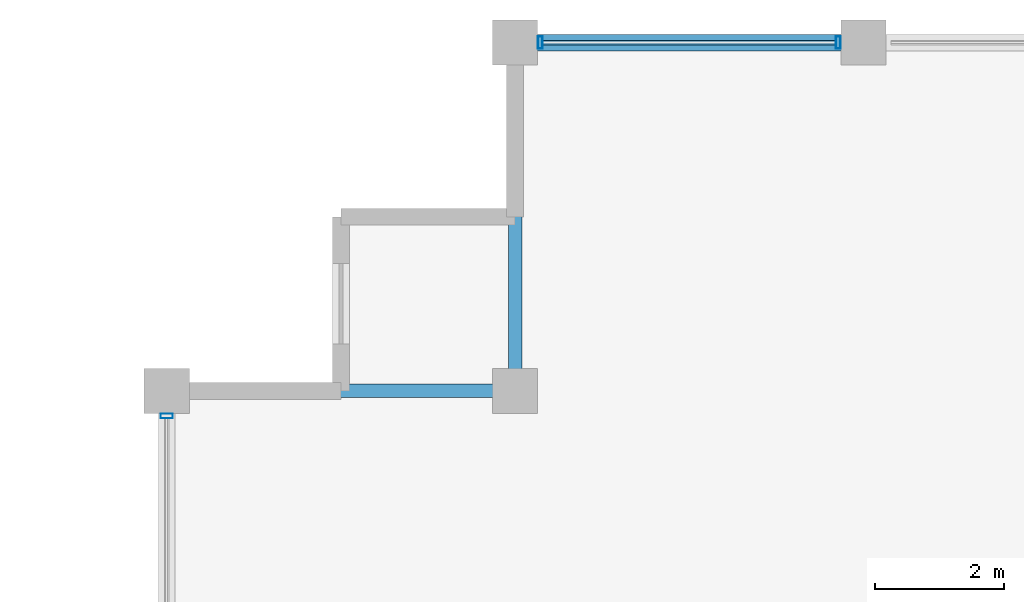
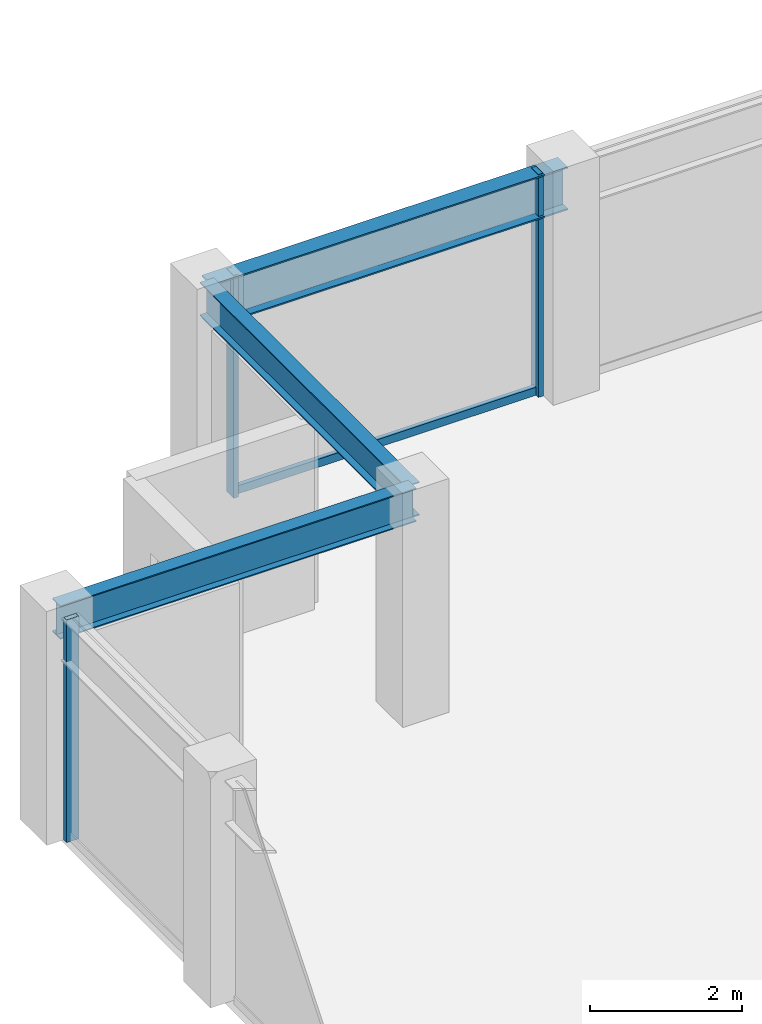
# One storey, part 15 of 31: 4 members, 3 beams, 2 elements without a shape of their own.
"""IFC4 building model written with IfcOpenShell, lengths in metres."""

import ifcopenshell
import ifcopenshell.guid

model = None  # the IFC model being written
_history = None  # IfcOwnerHistory: only IFC2X3 demands one
_inside = {}  # id of a spatial element -> (the spatial element, [elements in it])
_under = {}  # id of a project, library or spatial element -> (it, [spatial elements below it])
_declared = {}  # id of a project -> (the project, [libraries it declares])
_typed = {}  # id of a type object -> (the type object, [elements of that type])
_made_of = {}  # id of a material, layer set ... -> (it, [elements and type objects made of it])


def new_model(schema):
    """Start an empty IFC model of exactly this schema.

    Asked for "IFC4X3", IfcOpenShell would pick the latest addendum, in which some entities
    have other attributes; the version numbers below select the first issue.
    IFC2X3 requires an IfcOwnerHistory on every rooted entity: one is made here for all.
    """
    global model, _history
    if schema == "IFC4X3":
        model = ifcopenshell.file(schema_version=(4, 3, 0, 0))
    else:
        model = ifcopenshell.file(schema=schema)
    _inside.clear()
    _under.clear()
    _declared.clear()
    _typed.clear()
    _made_of.clear()
    _history = None
    if model.schema == "IFC2X3":
        org = make("IfcOrganization", Name="unknown")
        user = make(
            "IfcPersonAndOrganization",
            ThePerson=make("IfcPerson", FamilyName="unknown"),
            TheOrganization=org,
        )
        app = make(
            "IfcApplication",
            ApplicationDeveloper=org,
            Version="unknown",
            ApplicationFullName="unknown",
            ApplicationIdentifier="unknown",
        )
        _history = make(
            "IfcOwnerHistory",
            OwningUser=user,
            OwningApplication=app,
            ChangeAction="ADDED",
            CreationDate=0,
        )
    return model


def make(cls, **values):
    """One entity of the class cls with the attributes given. An attribute that is None is left unset."""
    return model.create_entity(
        cls, **{name: value for name, value in values.items() if value is not None}
    )


def rooted(cls, **values):
    """An entity with a GlobalId (a new one), such as an element, a storey or a relation."""
    return make(cls, GlobalId=ifcopenshell.guid.new(), OwnerHistory=_history, **values)


def si_unit(unit_type, name, prefix=None):
    """IfcSIUnit, for example si_unit("LENGTHUNIT", "METRE", prefix="MILLI")."""
    return make("IfcSIUnit", UnitType=unit_type, Prefix=prefix, Name=name)


def assignment(units):
    """IfcUnitAssignment: the units of a project."""
    return None if units is None else make("IfcUnitAssignment", Units=units)


def point(xyz):
    """IfcCartesianPoint."""
    return None if xyz is None else make("IfcCartesianPoint", Coordinates=xyz)


def direction(xyz):
    """IfcDirection."""
    return None if xyz is None else make("IfcDirection", DirectionRatios=xyz)


def frame(location, z_axis=None, x_axis=None):
    """IfcAxis2Placement3D, a coordinate frame: its origin and axes. An axis left out is left unset."""
    return make(
        "IfcAxis2Placement3D",
        Location=point(location),
        Axis=direction(z_axis),
        RefDirection=direction(x_axis),
    )


def frame_2d(location, x_axis=None):
    """IfcAxis2Placement2D, a coordinate frame in the plane: its origin and x axis."""
    return make(
        "IfcAxis2Placement2D", Location=point(location), RefDirection=direction(x_axis)
    )


def origin():
    """The frame at (0, 0, 0) with its axes left unset."""
    return frame((0.0, 0.0, 0.0))


def origin_2d():
    """The frame at (0, 0) in the plane with its x axis left unset."""
    return frame_2d((0.0, 0.0))


def place(relative_to, where):
    """IfcLocalPlacement: puts the frame where relative to a parent placement (None: the world)."""
    return make(
        "IfcLocalPlacement", PlacementRelTo=relative_to, RelativePlacement=where
    )


def context(
    kind, dimensions, precision=None, world=None, true_north=None, identifier=None
):
    """IfcGeometricRepresentationContext, for example the 3D "Model" context."""
    return make(
        "IfcGeometricRepresentationContext",
        ContextIdentifier=identifier,
        ContextType=kind,
        CoordinateSpaceDimension=dimensions,
        Precision=precision,
        WorldCoordinateSystem=world,
        TrueNorth=true_north,
    )


def subcontext(parent, identifier, kind, view, scale=None):
    """IfcGeometricRepresentationSubContext, for example "Body" below "Model"."""
    return make(
        "IfcGeometricRepresentationSubContext",
        ContextIdentifier=identifier,
        ContextType=kind,
        ParentContext=parent,
        TargetScale=scale,
        TargetView=view,
    )


def project(units=None, contexts=None):
    """IfcProject with its units and contexts."""
    return rooted(
        "IfcProject",
        Name="project",
        RepresentationContexts=contexts,
        UnitsInContext=assignment(units),
    )


def spatial(cls, under=None, at=None, **own):
    """A site, building, storey or space (cls), placed at a placement, below another one or the project."""
    s = rooted(cls, ObjectPlacement=at, **own)
    if under is not None:
        _under.setdefault(under.id(), (under, []))[1].append(s)
    return s


def profile(cls, at=None, kind="AREA", **sizes):
    """A parametric profile (cls). Its sizes go by their IFC names, for example OverallWidth=200.0."""
    return make(cls, ProfileType=kind, Position=at, **sizes)


def hollow_rectangle(**sizes):
    """IfcRectangleHollowProfileDef."""
    return profile("IfcRectangleHollowProfileDef", **sizes)


def i_section(**sizes):
    """IfcIShapeProfileDef."""
    return profile("IfcIShapeProfileDef", **sizes)


def extrude(swept, where, along, depth):
    """IfcExtrudedAreaSolid: the profile swept, set in the frame where, extruded along a direction by depth."""
    return make(
        "IfcExtrudedAreaSolid",
        SweptArea=swept,
        Position=where,
        ExtrudedDirection=direction(along),
        Depth=depth,
    )


def shape(context_of_items, identifier, shape_type, items):
    """IfcShapeRepresentation: the items that make up one representation, for example the "Body"."""
    return make(
        "IfcShapeRepresentation",
        ContextOfItems=context_of_items,
        RepresentationIdentifier=identifier,
        RepresentationType=shape_type,
        Items=items,
    )


def material(Name=None, Category=None):
    """IfcMaterial."""
    return make("IfcMaterial", Name=Name, Category=Category)


def layer(
    of_material, thickness, ventilated=None, Name=None, Category=None, Priority=None
):
    """IfcMaterialLayer: one layer of a wall or slab, of a material (None: an air gap)."""
    return make(
        "IfcMaterialLayer",
        Material=of_material,
        LayerThickness=thickness,
        IsVentilated=ventilated,
        Name=Name,
        Category=Category,
        Priority=Priority,
    )


def layer_set(layers, Name=None):
    """IfcMaterialLayerSet."""
    return make("IfcMaterialLayerSet", MaterialLayers=layers, LayerSetName=Name)


def material_profile(
    of_material, cross_section, Name=None, Category=None, Priority=None
):
    """IfcMaterialProfile: a cross section and its material."""
    return make(
        "IfcMaterialProfile",
        Name=Name,
        Material=of_material,
        Profile=cross_section,
        Priority=Priority,
        Category=Category,
    )


def profile_set(profiles, Name=None, composite=None):
    """IfcMaterialProfileSet."""
    return make(
        "IfcMaterialProfileSet",
        Name=Name,
        MaterialProfiles=profiles,
        CompositeProfile=composite,
    )


def made_of(thing, what):
    """Note that an element or type object is made of a material, layer set ...; save() writes the relation."""
    if what is not None:
        _made_of.setdefault(what.id(), (what, []))[1].append(thing)
    return thing


def type_object(cls, material=None, **own):
    """A type object (cls), such as IfcWallType, which elements share."""
    return made_of(rooted(cls, **own), material)


def element(
    cls,
    number,
    at=None,
    inside=None,
    cuts=None,
    type_object=None,
    material=None,
    context=None,
    identifier="Body",
    shape_type=None,
    held_by="IfcProductDefinitionShape",
    body=None,
    shapes=None,
    **own,
):
    """One element of the class cls, such as IfcWall. Its Tag is "e" and its number.

    at: its placement. inside: the storey or other place that contains it. cuts: it is an
    opening in that element (IfcRelVoidsElement). A single representation is given by context,
    identifier, shape_type and body (its items); several are given by shapes. held_by: the class
    of the entity that holds the representations. save() writes the other relations.
    """
    e = rooted(cls, Tag="e%d" % number, ObjectPlacement=at, **own)
    if body is not None:
        shapes = [shape(context, identifier, shape_type, body)]
    if shapes is not None:
        e.Representation = make(held_by, Representations=shapes)
    if inside is not None:
        _inside.setdefault(inside.id(), (inside, []))[1].append(e)
    if cuts is not None:
        rooted(
            "IfcRelVoidsElement", RelatingBuildingElement=cuts, RelatedOpeningElement=e
        )
    if type_object is not None:
        _typed.setdefault(type_object.id(), (type_object, []))[1].append(e)
    return made_of(e, material)


def aggregate(whole, parts):
    """IfcRelAggregates: a whole, such as a stair, and the parts it consists of."""
    return rooted("IfcRelAggregates", RelatingObject=whole, RelatedObjects=parts)


def save(model, path):
    """Write the relations noted so far, then the file.

    IfcRelAggregates (storeys below a building ...), IfcRelContainedInSpatialStructure (elements
    in a storey), IfcRelDefinesByType, IfcRelAssociatesMaterial and IfcRelDeclares: one each for
    every whole, place, type object, material and project.
    """
    for whole, parts in _under.values():
        aggregate(whole, parts)
    for where, things in _inside.values():
        rooted(
            "IfcRelContainedInSpatialStructure",
            RelatedElements=things,
            RelatingStructure=where,
        )
    for kind, things in _typed.values():
        rooted("IfcRelDefinesByType", RelatedObjects=things, RelatingType=kind)
    for what, things in _made_of.values():
        rooted("IfcRelAssociatesMaterial", RelatedObjects=things, RelatingMaterial=what)
    for by, libraries in _declared.values():
        rooted("IfcRelDeclares", RelatingContext=by, RelatedDefinitions=libraries)
    model.write(path)


model = new_model("IFC4")

# Units and contexts
model_context = context("Model", 3, precision=1e-05, world=origin(), true_north=direction((0.0, 1.0)))
body_context = subcontext(model_context, "Body", "Model", "MODEL_VIEW")
ifc_project = project(units=[si_unit("LENGTHUNIT", "METRE"), si_unit("AREAUNIT", "SQUARE_METRE"), si_unit("VOLUMEUNIT", "CUBIC_METRE"), si_unit("PLANEANGLEUNIT", "RADIAN"), si_unit("MASSUNIT", "GRAM", prefix="KILO")], contexts=[model_context])

# Site, building, storey
site_placement = place(None, origin())
site = spatial("IfcSite", under=ifc_project, at=site_placement, CompositionType="ELEMENT")
building_placement = place(site_placement, origin())
building = spatial("IfcBuilding", under=site, at=building_placement, Name="Surkhivell Harbour Commons", CompositionType="ELEMENT")
storey_placement = place(building_placement, frame((0.0, 0.0, 262.5)))
storey = spatial("IfcBuildingStorey", under=building, at=storey_placement, Name="L68", CompositionType="ELEMENT", Elevation=262.5)

# Beams
ifc_material_1 = material(Name="Steel S355", Category="steel")
ifc_material_profile_1 = material_profile(ifc_material_1, i_section(OverallWidth=0.2099609375, OverallDepth=0.537109375, WebThickness=0.0107421875, FlangeThickness=0.017333984375, at=origin_2d()), Name="UB533x210x101")
ifc_profile_set_1 = profile_set([ifc_material_profile_1], Name="Steel S355")
beam_type_1 = type_object("IfcBeamType", Name="BM-GRD-533B", PredefinedType="BEAM", material=ifc_profile_set_1)
for number, where, z_axis, x_axis, name in (
    (1, (-27.0, 20.5, 3.301513671875), (1.0, 0.0, 0.0), (0.0, 1.0, 0.0), "L68 Floor Girder (-27.0,20.5)"),
    (2, (-21.60009765625, 20.5, 3.301513671875), (0.0, 1.0, 0.0), (-1.0, 0.0, 0.0), "L68 Floor Girder (-21.6,20.5)"),
):
    element("IfcBeam", number, at=place(storey_placement, frame(where, z_axis=z_axis, x_axis=x_axis)), inside=storey, type_object=beam_type_1, Name=name, PredefinedType="BEAM", context=body_context, shape_type="SweptSolid", body=[
        extrude(i_section(OverallWidth=0.2099609375, OverallDepth=0.537109375, WebThickness=0.0107421875, FlangeThickness=0.017333984375, at=origin_2d()), origin(), (0.0, 0.0, 1.0), 5.39990234375),
    ])
ifc_material_profile_2 = material_profile(ifc_material_1, i_section(OverallWidth=0.256103515625, OverallDepth=0.693115234375, WebThickness=0.014404296875, FlangeThickness=0.023681640625, at=origin_2d()), Name="UB686x254x170")
ifc_profile_set_2 = profile_set([ifc_material_profile_2], Name="Steel S355")
beam_type_2 = type_object("IfcBeamType", Name="BM-SPN-686", PredefinedType="SPANDREL", material=ifc_profile_set_2)
beam_placement = place(storey_placement, frame((-21.60009765625, 25.89990234375, 3.223388671875), z_axis=(1.0, 0.0, 0.0), x_axis=(0.0, 1.0, 0.0)))
element("IfcBeam", 3, at=beam_placement, inside=storey, type_object=beam_type_2, Name="L68 Tube Spandrel (-21.6,25.9)", PredefinedType="SPANDREL", context=body_context, shape_type="SweptSolid", body=[
    extrude(i_section(OverallWidth=0.256103515625, OverallDepth=0.693115234375, WebThickness=0.014404296875, FlangeThickness=0.023681640625, at=origin_2d()), origin(), (0.0, 0.0, 1.0), 5.400146484375),
])

# Curtain wall, members
ifc_material_2 = material(Name="Anodised pale-metal aluminium and insulated glazing", Category="aluminium")
ifc_layer = layer(ifc_material_2, 0.175048828125)
ifc_layer_set = layer_set([ifc_layer], Name="Anodised pale-metal aluminium and insulated glazing")
curtain_wall_type = type_object("IfcCurtainWallType", Name="CW-SYS-Z4", PredefinedType="NOTDEFINED", material=ifc_layer_set)
curtain_wall_1_placement = place(storey_placement, origin())
curtain_wall_1 = element("IfcCurtainWall", 4, at=curtain_wall_1_placement, inside=storey, type_object=curtain_wall_type, Name="L68 Curtain Wall CW-L68-E07S2", PredefinedType="NOTDEFINED")
ifc_material_3 = material(Name="Anodised pale-metal aluminium alloy 6063-T6", Category="aluminium")
ifc_material_profile_3 = material_profile(ifc_material_3, hollow_rectangle(XDim=0.074951171875, YDim=0.18994140625, WallThickness=0.00390625, at=origin_2d()), Name="ALU-MULL-75x190")
ifc_profile_set_3 = profile_set([ifc_material_profile_3], Name="Anodised pale-metal aluminium alloy 6063-T6")
member_type_1 = type_object("IfcMemberType", Name="CWM-190", PredefinedType="MULLION", material=ifc_profile_set_3)
member_1_placement = place(storey_placement, frame((-16.589599609375, 25.89990234375, 0.0), z_axis=(0.0, 0.0, 1.0), x_axis=(-1.0, 0.0, 0.0)))
member_1 = element("IfcMember", 5, at=member_1_placement, type_object=member_type_1, Name="CW-Z4 mullion 3", PredefinedType="MULLION", context=body_context, shape_type="SweptSolid", body=[
    extrude(hollow_rectangle(XDim=0.074951171875, YDim=0.18994140625, WallThickness=0.00390625, at=origin_2d()), origin(), (0.0, 0.0, 1.0), 3.570068359375),
])
member_2_placement = place(storey_placement, frame((-21.21044921875, 25.89990234375, 0.0), z_axis=(0.0, 0.0, 1.0), x_axis=(-1.0, 0.0, 0.0)))
member_2 = element("IfcMember", 6, at=member_2_placement, type_object=member_type_1, Name="CW-Z4 mullion 4", PredefinedType="MULLION", context=body_context, shape_type="SweptSolid", body=[
    extrude(hollow_rectangle(XDim=0.074951171875, YDim=0.18994140625, WallThickness=0.00390625, at=origin_2d()), origin(), (0.0, 0.0, 1.0), 3.570068359375),
])

# Curtain wall, member
curtain_wall_2_placement = place(storey_placement, origin())
curtain_wall_2 = element("IfcCurtainWall", 7, at=curtain_wall_2_placement, inside=storey, type_object=curtain_wall_type, Name="L68 Curtain Wall CW-L68-E12R2", PredefinedType="NOTDEFINED")
member_3_placement = place(storey_placement, frame((-27.0, 20.110595703125, 0.0), z_axis=(0.0, 0.0, 1.0), x_axis=(0.0, 1.0, 0.0)))
member_3 = element("IfcMember", 8, at=member_3_placement, type_object=member_type_1, Name="CW-Z4 mullion 3", PredefinedType="MULLION", context=body_context, shape_type="SweptSolid", body=[
    extrude(hollow_rectangle(XDim=0.074951171875, YDim=0.18994140625, WallThickness=0.00390625, at=origin_2d()), origin(), (0.0, 0.0, 1.0), 3.570068359375),
])
aggregate(curtain_wall_2, [member_3])

# Member
ifc_material_4 = material(Name="Champagne anodised aluminium alloy 6063-T6", Category="aluminium")
ifc_material_profile_4 = material_profile(ifc_material_4, hollow_rectangle(XDim=0.070068359375, YDim=0.1298828125, WallThickness=0.00341796875, at=origin_2d()), Name="ALU-TRAN-70x130")
ifc_profile_set_4 = profile_set([ifc_material_profile_4], Name="Champagne anodised aluminium alloy 6063-T6")
member_type_2 = type_object("IfcMemberType", Name="CWT-130", PredefinedType="USERDEFINED", material=ifc_profile_set_4)
member_4_placement = place(storey_placement, frame((-16.626953125, 25.89990234375, 0.06494140625), z_axis=(-1.0, 0.0, 0.0), x_axis=(0.0, -1.0, 0.0)))
member_4 = element("IfcMember", 9, at=member_4_placement, type_object=member_type_2, Name="CW-Z4 transom 3.1", ObjectType="TRANSOM", PredefinedType="USERDEFINED", context=body_context, shape_type="SweptSolid", body=[
    extrude(hollow_rectangle(XDim=0.070068359375, YDim=0.1298828125, WallThickness=0.00341796875, at=origin_2d()), origin(), (0.0, 0.0, 1.0), 4.546142578125),
])

aggregate(curtain_wall_1, [member_1, member_2, member_4])

save(model, "model.ifc")
